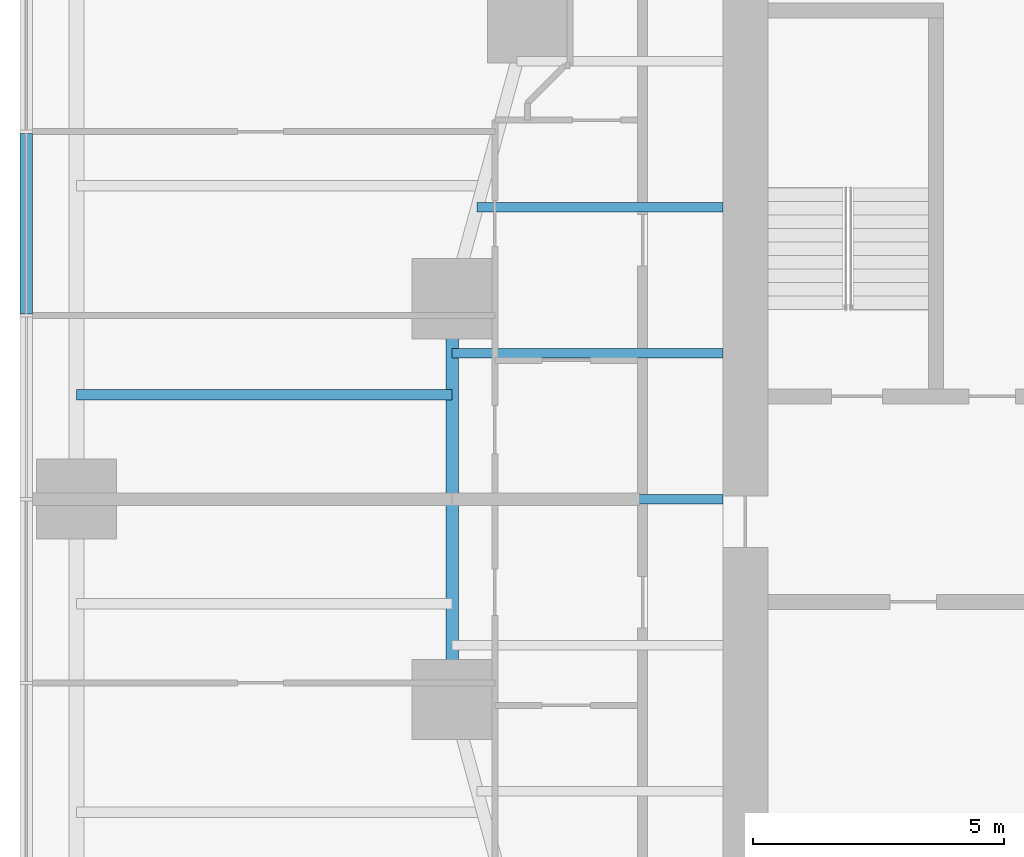
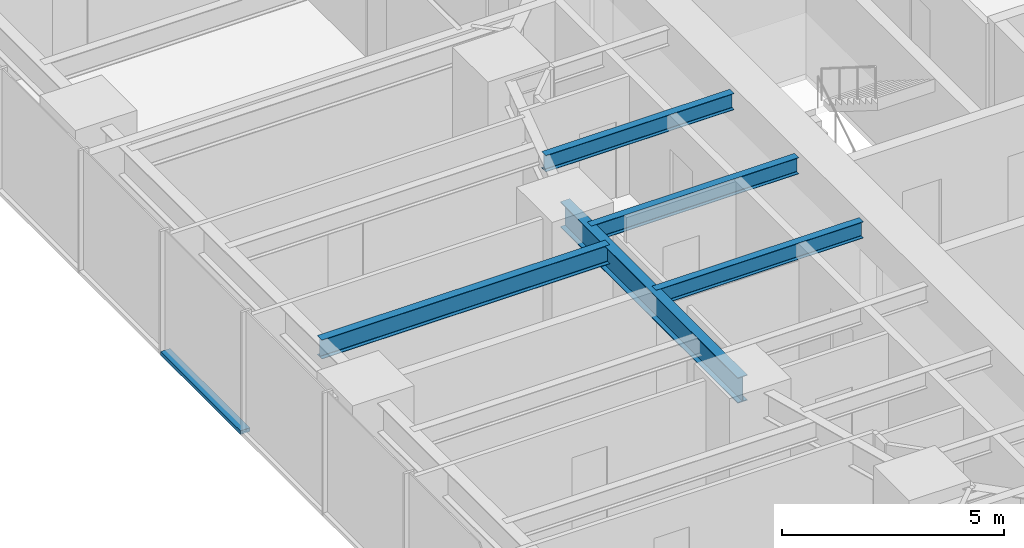
# One storey, part 3 of 18: 5 beams, 1 member, 1 element without a shape of its own.
"""IFC4 building model written with IfcOpenShell, lengths in metres."""

from ifc_helpers import new_model, si_unit, direction, frame, origin, origin_2d, place, context, subcontext, project, spatial, rectangle, i_section, extrude, material, material_profile, profile_set, type_object, element, aggregate, save


model = new_model("IFC4")

# Units and contexts
model_context = context("Model", 3, precision=1e-05, world=origin(), true_north=direction((0.0, 1.0)))
body_context = subcontext(model_context, "Body", "Model", "MODEL_VIEW")
ifc_project = project(units=[si_unit("LENGTHUNIT", "METRE"), si_unit("AREAUNIT", "SQUARE_METRE"), si_unit("VOLUMEUNIT", "CUBIC_METRE"), si_unit("PLANEANGLEUNIT", "RADIAN"), si_unit("MASSUNIT", "GRAM", prefix="KILO")], contexts=[model_context])

# Site, building, storey
site_placement = place(None, origin())
site = spatial("IfcSite", under=ifc_project, at=site_placement, CompositionType="ELEMENT")
building_placement = place(site_placement, origin())
building = spatial("IfcBuilding", under=site, at=building_placement, Name="Torsade Residences", CompositionType="ELEMENT")
storey_placement = place(building_placement, frame((0.0, 0.0, 28.60009765625)))
storey = spatial("IfcBuildingStorey", under=building, at=storey_placement, Name="L07", CompositionType="ELEMENT", Elevation=28.60009765625)

# Curtain wall, member
ifc_material_1 = material(Name="Aluminium and glass", Category="aluminium")
curtain_wall_type = type_object("IfcCurtainWallType", Name="FRITTED GLASS CURTAIN WALL LOW ZONE", PredefinedType="NOTDEFINED", material=ifc_material_1)
curtain_wall_placement = place(storey_placement, origin())
curtain_wall = element("IfcCurtainWall", 1, at=curtain_wall_placement, inside=storey, type_object=curtain_wall_type, Name="Curtain wall L07 face 10", PredefinedType="NOTDEFINED")
ifc_material_2 = material(Name="Aluminium transom", Category="aluminium")
ifc_material_profile_1 = material_profile(ifc_material_2, rectangle(XDim=0.25, YDim=0.10009765625, at=origin_2d()), Name="CURTAIN WALL TRANSOM 250x100")
ifc_profile_set_1 = profile_set([ifc_material_profile_1], Name="Aluminium transom")
member_type = type_object("IfcMemberType", Name="CURTAIN WALL TRANSOM 250x100", PredefinedType="USERDEFINED", material=ifc_profile_set_1)
member_placement = place(storey_placement, frame((14.0, 37.30078125, 0.0498046875), z_axis=(0.0, -1.0, 0.0), x_axis=(1.0, 0.0, 0.0)))
member = element("IfcMember", 2, at=member_placement, type_object=member_type, Name="Transom 5.1", ObjectType="TRANSOM", PredefinedType="USERDEFINED", context=body_context, shape_type="SweptSolid", body=[
    extrude(rectangle(XDim=0.25, YDim=0.10009765625, at=origin_2d()), origin(), (0.0, 0.0, 1.0), 3.6015625),
])
aggregate(curtain_wall, [member])

# Beams
ifc_material_3 = material(Name="Steel grade 300", Category="steel")
ifc_material_profile_2 = material_profile(ifc_material_3, i_section(OverallWidth=0.18994140625, OverallDepth=0.4541015625, WebThickness=0.008544921875, FlangeThickness=0.0126953125, FilletRadius=0.011474609375, at=origin_2d()), Name="460UB67.1")
ifc_profile_set_2 = profile_set([ifc_material_profile_2], Name="Steel grade 300")
beam_type_1 = type_object("IfcBeamType", Name="INNER FLOOR BEAM 460UB67.1", PredefinedType="JOIST", material=ifc_profile_set_2)
beam_1_placement = place(storey_placement, frame((27.89990234375, 35.824951171875, 3.02294921875), z_axis=(-1.0, 0.0, 0.0), x_axis=(0.0, -1.0, 0.0)))
element("IfcBeam", 3, at=beam_1_placement, inside=storey, type_object=beam_type_1, Name="Inner floor beam IW02 L08", PredefinedType="JOIST", context=body_context, shape_type="SweptSolid", body=[
    extrude(i_section(OverallWidth=0.18994140625, OverallDepth=0.4541015625, WebThickness=0.008544921875, FlangeThickness=0.0126953125, FilletRadius=0.011474609375, at=origin_2d()), origin(), (0.0, 0.0, 1.0), 4.902099609375),
])
for number, where, z_axis, x_axis, name in (
    (4, (27.89990234375, 32.91259765625, 3.02294921875), (-1.0, 0.0, 0.0), (0.0, -1.0, 0.0), "Inner floor beam IW03 L08"),
    (5, (27.89990234375, 30.0, 3.02294921875), (-1.0, 0.0, 0.0), (0.0, -1.0, 0.0), "Inner floor beam IW04 L08"),
):
    element("IfcBeam", number, at=place(storey_placement, frame(where, z_axis=z_axis, x_axis=x_axis)), inside=storey, type_object=beam_type_1, Name=name, PredefinedType="JOIST", context=body_context, shape_type="SweptSolid", body=[
        extrude(i_section(OverallWidth=0.18994140625, OverallDepth=0.4541015625, WebThickness=0.008544921875, FlangeThickness=0.0126953125, FilletRadius=0.011474609375, at=origin_2d()), origin(), (0.0, 0.0, 1.0), 5.39990234375),
    ])
ifc_material_4 = material(Name="Steel grade 300", Category="steel")
ifc_material_profile_3 = material_profile(ifc_material_4, i_section(OverallWidth=0.25, OverallDepth=0.699951171875, WebThickness=0.010009765625, FlangeThickness=0.02001953125, at=origin_2d()), Name="700WB130")
ifc_profile_set_3 = profile_set([ifc_material_profile_3], Name="Steel grade 300")
beam_type_2 = type_object("IfcBeamType", Name="RING GIRDER 700WB130", PredefinedType="BEAM", material=ifc_profile_set_3)
beam_2_placement = place(storey_placement, frame((22.5, 34.0, 2.89990234375), z_axis=(0.0, -1.0, 0.0), x_axis=(1.0, 0.0, 0.0)))
element("IfcBeam", 6, at=beam_2_placement, inside=storey, type_object=beam_type_2, Name="Ring girder IR09 L08", PredefinedType="BEAM", context=body_context, shape_type="SweptSolid", body=[
    extrude(i_section(OverallWidth=0.25, OverallDepth=0.699951171875, WebThickness=0.010009765625, FlangeThickness=0.02001953125, at=origin_2d()), origin(), (0.0, 0.0, 1.0), 8.0),
])
ifc_material_5 = material(Name="Steel grade 300", Category="steel")
ifc_material_profile_4 = material_profile(ifc_material_5, i_section(OverallWidth=0.208984375, OverallDepth=0.528076171875, WebThickness=0.009521484375, FlangeThickness=0.01318359375, FilletRadius=0.013916015625, at=origin_2d()), Name="530UB82.0")
ifc_profile_set_4 = profile_set([ifc_material_profile_4], Name="Steel grade 300")
beam_type_3 = type_object("IfcBeamType", Name="SECONDARY BEAM 530UB82.0", PredefinedType="JOIST", material=ifc_profile_set_4)
beam_3_placement = place(storey_placement, frame((15.0, 32.083251953125, 2.98583984375), z_axis=(1.0, 0.0, 0.0), x_axis=(0.0, 1.0, 0.0)))
element("IfcBeam", 7, at=beam_3_placement, inside=storey, type_object=beam_type_3, Name="Floor beam FW06 L08", PredefinedType="JOIST", context=body_context, shape_type="SweptSolid", body=[
    extrude(i_section(OverallWidth=0.208984375, OverallDepth=0.528076171875, WebThickness=0.009521484375, FlangeThickness=0.01318359375, FilletRadius=0.013916015625, at=origin_2d()), origin(), (0.0, 0.0, 1.0), 7.5),
])

save(model, "model.ifc")
